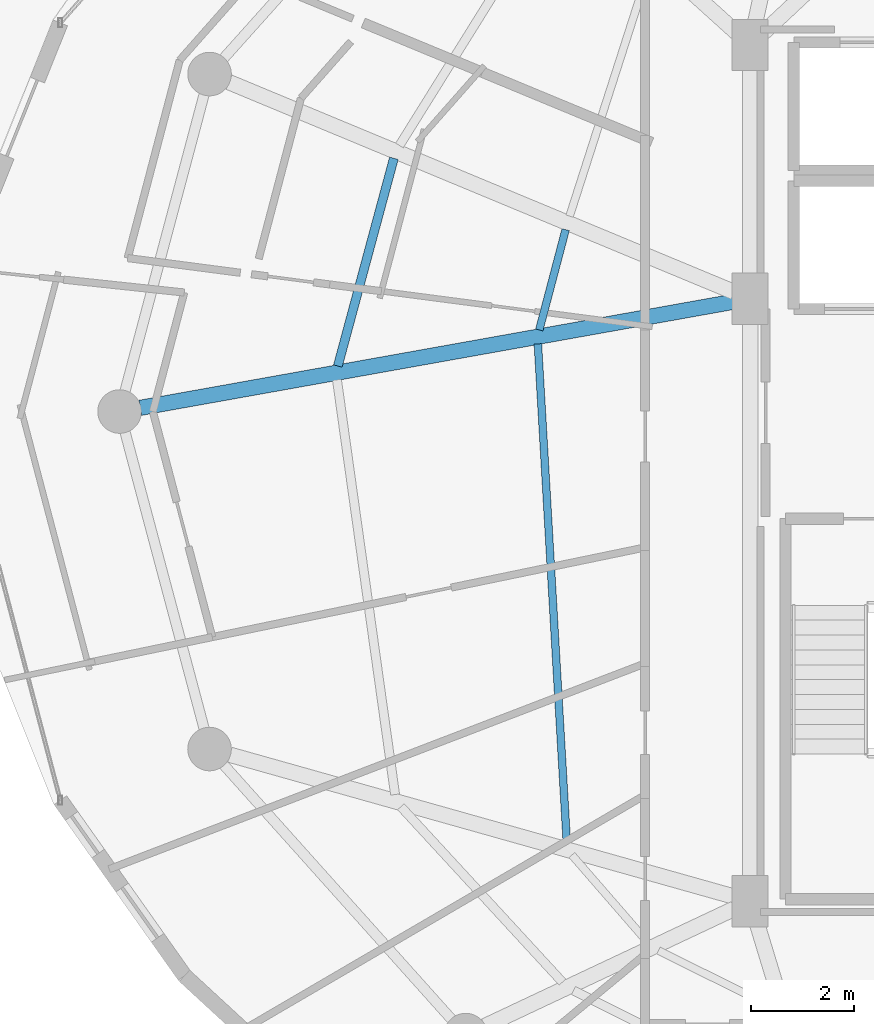
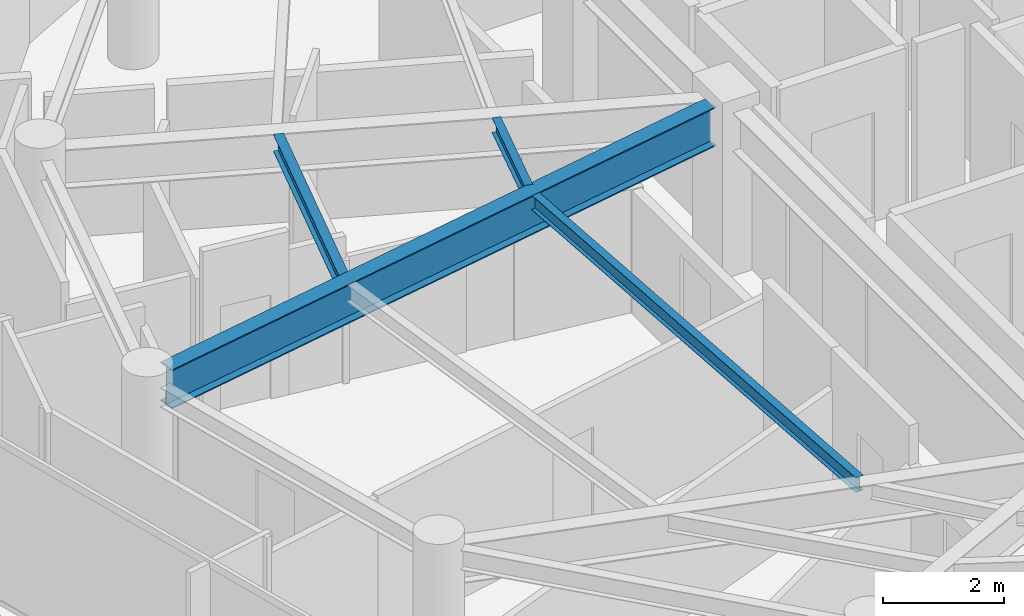
# One storey, part 7 of 30: 4 beams.
"""IFC4 building model written with IfcOpenShell, lengths in metres."""

from ifc_helpers import new_model, si_unit, direction, frame, origin, origin_2d, place, context, subcontext, project, spatial, i_section, extrude, material, material_profile, profile_set, type_object, element, save


model = new_model("IFC4")

# Units and contexts
model_context = context("Model", 3, precision=1e-05, world=origin(), true_north=direction((0.0, 1.0)))
body_context = subcontext(model_context, "Body", "Model", "MODEL_VIEW")
ifc_project = project(units=[si_unit("LENGTHUNIT", "METRE"), si_unit("AREAUNIT", "SQUARE_METRE"), si_unit("VOLUMEUNIT", "CUBIC_METRE"), si_unit("PLANEANGLEUNIT", "RADIAN"), si_unit("MASSUNIT", "GRAM", prefix="KILO")], contexts=[model_context])

# Site, building, storey
site_placement = place(None, origin())
site = spatial("IfcSite", under=ifc_project, at=site_placement, CompositionType="ELEMENT")
building_placement = place(site_placement, origin())
building = spatial("IfcBuilding", under=site, at=building_placement, Name="Vorneva Point Tower", CompositionType="ELEMENT")
storey_placement = place(building_placement, frame((0.0, 0.0, 237.800048828125)))
storey = spatial("IfcBuildingStorey", under=building, at=storey_placement, Name="L64", CompositionType="ELEMENT", Elevation=237.800048828125)

# Beams
ifc_material = material(Name="Steel S355", Category="steel")
ifc_material_profile_1 = material_profile(ifc_material, i_section(OverallWidth=0.300048828125, OverallDepth=0.7880859375, WebThickness=0.014404296875, FlangeThickness=0.02197265625, at=origin_2d()), Name="80Sh1")
ifc_profile_set_1 = profile_set([ifc_material_profile_1], Name="Steel S355")
beam_type_1 = type_object("IfcBeamType", Name="BM-GRD-80Sh1", PredefinedType="USERDEFINED", material=ifc_profile_set_1)
beam_1_placement = place(storey_placement, frame((15.3564453125, 26.07275390625, 2.89599609375), z_axis=(0.9843788355, 0.17606336422, 0.0), x_axis=(-0.17606336422, 0.9843788355, 0.0)))
element("IfcBeam", 1, at=beam_1_placement, inside=storey, type_object=beam_type_1, Name="L64 Radial Primary Girder 09", ObjectType="GIRDER", PredefinedType="USERDEFINED", context=body_context, shape_type="SweptSolid", body=[
    extrude(i_section(OverallWidth=0.300048828125, OverallDepth=0.7880859375, WebThickness=0.014404296875, FlangeThickness=0.02197265625, at=origin_2d()), origin(), (0.0, 0.0, 1.0), 11.7421875),
])
ifc_material_profile_2 = material_profile(ifc_material, i_section(OverallWidth=0.14892578125, OverallDepth=0.298095703125, WebThickness=0.005615234375, FlangeThickness=0.008056640625, at=origin_2d()), Name="30B1")
ifc_profile_set_2 = profile_set([ifc_material_profile_2], Name="Steel S355")
beam_type_2 = type_object("IfcBeamType", Name="BM-JST-30B1", PredefinedType="JOIST", material=ifc_profile_set_2)
beam_2_placement = place(storey_placement, frame((23.650390625, 29.5478515625, 3.140869140625), z_axis=(-0.254273504395, -0.967132351316, 0.0), x_axis=(0.967132351316, -0.254273504395, 0.0)))
element("IfcBeam", 2, at=beam_2_placement, inside=storey, type_object=beam_type_2, Name="L64 Secondary Floor Beam 2.08", PredefinedType="JOIST", context=body_context, shape_type="SweptSolid", body=[
    extrude(i_section(OverallWidth=0.14892578125, OverallDepth=0.298095703125, WebThickness=0.005615234375, FlangeThickness=0.008056640625, at=origin_2d()), origin(), (0.0, 0.0, 1.0), 2.02294921875),
])
beam_3_placement = place(storey_placement, frame((23.10888671875, 27.320068359375, 3.140869140625), z_axis=(0.057974452456, -0.998318066982, 0.0), x_axis=(0.998318066982, 0.057974452456, 0.0)))
element("IfcBeam", 3, at=beam_3_placement, inside=storey, type_object=beam_type_2, Name="L64 Secondary Floor Beam 2.09", PredefinedType="JOIST", context=body_context, shape_type="SweptSolid", body=[
    extrude(i_section(OverallWidth=0.14892578125, OverallDepth=0.298095703125, WebThickness=0.005615234375, FlangeThickness=0.008056640625, at=origin_2d()), origin(), (0.0, 0.0, 1.0), 9.74462890625),
])
ifc_material_profile_3 = material_profile(ifc_material, i_section(OverallWidth=0.174072265625, OverallDepth=0.345947265625, WebThickness=0.006103515625, FlangeThickness=0.009033203125, at=origin_2d()), Name="35B1")
ifc_profile_set_3 = profile_set([ifc_material_profile_3], Name="Steel S355")
beam_type_3 = type_object("IfcBeamType", Name="BM-SEC-35B1", PredefinedType="BEAM", material=ifc_profile_set_3)
beam_4_placement = place(storey_placement, frame((20.300537109375, 30.939697265625, 3.116943359375), z_axis=(-0.260630606793, -0.965438598153, 0.0), x_axis=(0.965438598153, -0.260630606793, 0.0)))
element("IfcBeam", 4, at=beam_4_placement, inside=storey, type_object=beam_type_3, Name="L64 Secondary Floor Beam 1.08", PredefinedType="BEAM", context=body_context, shape_type="SweptSolid", body=[
    extrude(i_section(OverallWidth=0.174072265625, OverallDepth=0.345947265625, WebThickness=0.006103515625, FlangeThickness=0.009033203125, at=origin_2d()), origin(), (0.0, 0.0, 1.0), 4.196533203125),
])

save(model, "model.ifc")
